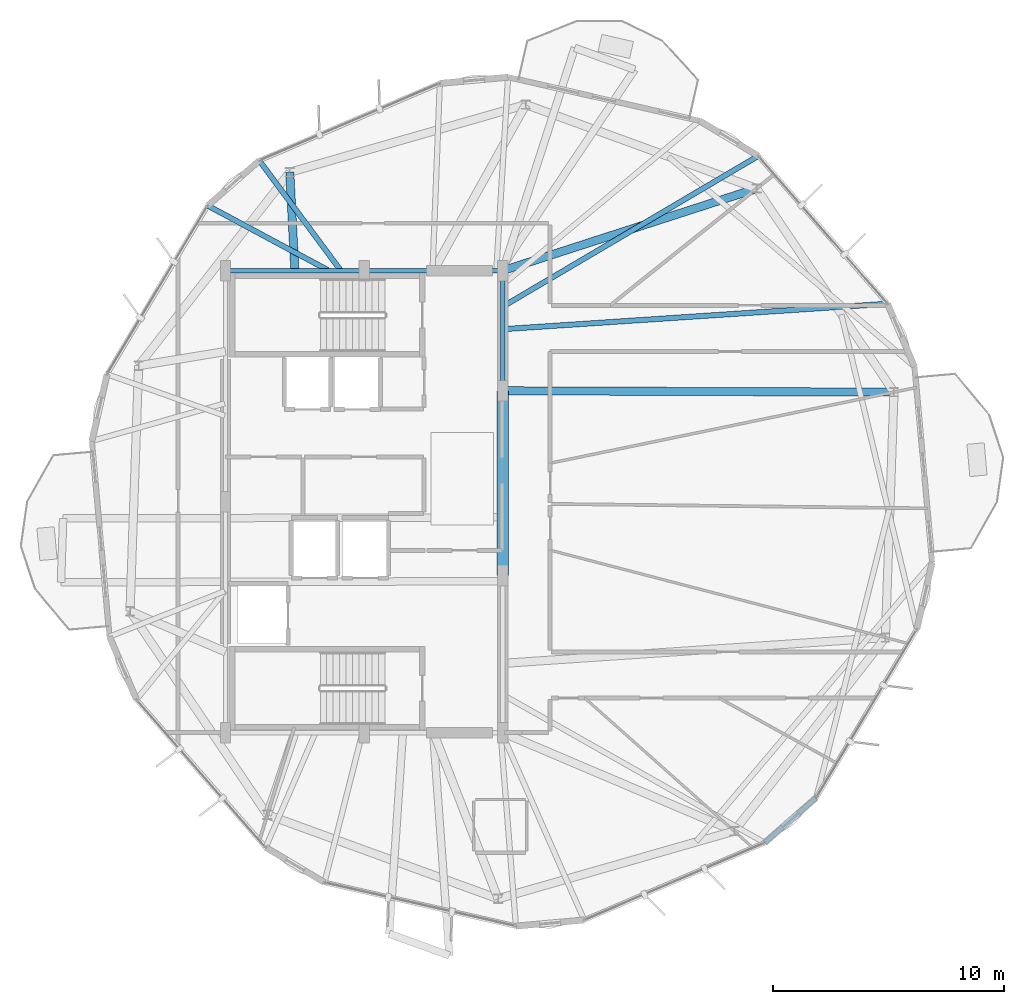
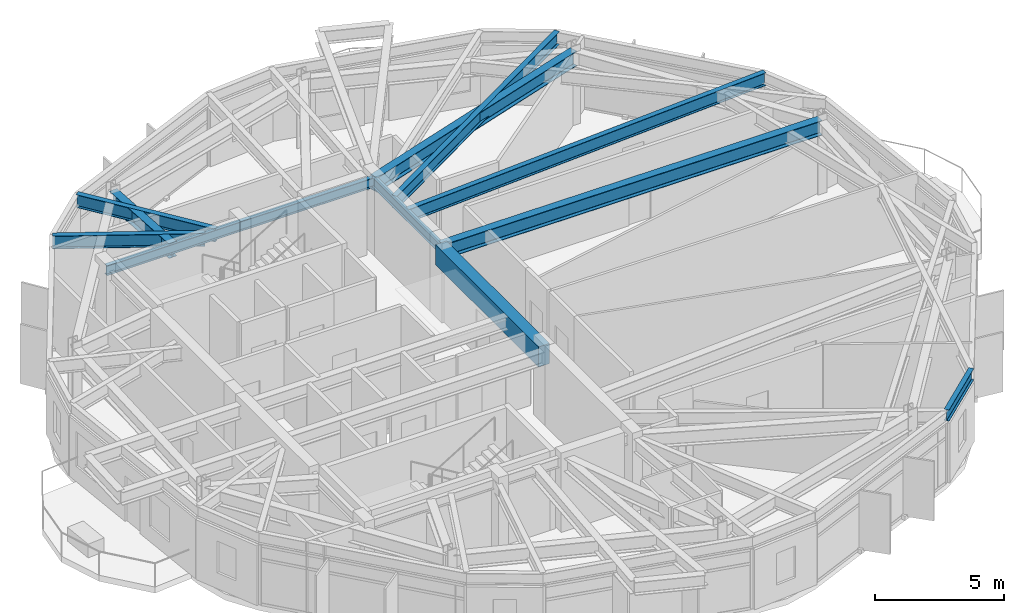
# One storey, part 9 of 23: 12 beams.
"""IFC4 building model written with IfcOpenShell, lengths in metres."""

from ifc_helpers import new_model, si_unit, direction, frame, origin, origin_2d, place, context, subcontext, project, spatial, rectangle, i_section, extrude, material, material_profile, profile_set, type_object, element, save


model = new_model("IFC4")

# Units and contexts
model_context = context("Model", 3, precision=1e-05, world=origin(), true_north=direction((0.0, 1.0)))
body_context = subcontext(model_context, "Body", "Model", "MODEL_VIEW")
ifc_project = project(units=[si_unit("LENGTHUNIT", "METRE"), si_unit("AREAUNIT", "SQUARE_METRE"), si_unit("VOLUMEUNIT", "CUBIC_METRE"), si_unit("PLANEANGLEUNIT", "RADIAN"), si_unit("MASSUNIT", "GRAM", prefix="KILO")], contexts=[model_context])

# Site, building, storey
site_placement = place(None, origin())
site = spatial("IfcSite", under=ifc_project, at=site_placement, CompositionType="ELEMENT")
building_placement = place(site_placement, origin())
building = spatial("IfcBuilding", under=site, at=building_placement, Name="Soratama Intermodal Tower", CompositionType="ELEMENT")
storey_placement = place(building_placement, frame((0.0, 0.0, 250.0)))
storey = spatial("IfcBuildingStorey", under=building, at=storey_placement, Name="L63", CompositionType="ELEMENT", Elevation=250.0)

# Beams
ifc_material_1 = material(Name="Concrete f'c 56 MPa", Category="concrete")
ifc_material_profile_1 = material_profile(ifc_material_1, rectangle(XDim=0.5, YDim=0.949951171875, at=origin_2d()), Name="RC500X950")
ifc_profile_set_1 = profile_set([ifc_material_profile_1], Name="Concrete f'c 56 MPa")
beam_type_1 = type_object("IfcBeamType", Name="BM-CPL-RC500X950", PredefinedType="BEAM", material=ifc_profile_set_1)
beam_1_placement = place(storey_placement, frame((44.60009765625, 21.800048828125, 2.97509765625), z_axis=(0.0, 1.0, 0.0), x_axis=(-1.0, 0.0, 0.0)))
element("IfcBeam", 1, at=beam_1_placement, inside=storey, type_object=beam_type_1, Name="L63 Core Coupling Beam East", PredefinedType="BEAM", context=body_context, shape_type="SweptSolid", body=[
    extrude(rectangle(XDim=0.5, YDim=0.949951171875, at=origin_2d()), origin(), (0.0, 0.0, 1.0), 8.0),
])
ifc_material_2 = material(Name="Structural steel ASTM A992 Grade 50", Category="steel")
ifc_material_profile_2 = material_profile(ifc_material_2, i_section(OverallWidth=0.19091796875, OverallDepth=0.4599609375, WebThickness=0.010009765625, FlangeThickness=0.01611328125, FilletRadius=0.010986328125, at=origin_2d()), Name="W18X55")
ifc_profile_set_2 = profile_set([ifc_material_profile_2], Name="Structural steel ASTM A992 Grade 50")
beam_type_2 = type_object("IfcBeamType", Name="BM-FLR-W18X55", PredefinedType="BEAM", material=ifc_profile_set_2)
beam_2_placement = place(storey_placement, frame((44.60009765625, 29.800048828125, 3.219970703125), z_axis=(0.0, 1.0, 0.0), x_axis=(-1.0, 0.0, 0.0)))
element("IfcBeam", 2, at=beam_2_placement, inside=storey, type_object=beam_type_2, Name="BM-L63-CRING-05", PredefinedType="BEAM", context=body_context, shape_type="SweptSolid", body=[
    extrude(i_section(OverallWidth=0.19091796875, OverallDepth=0.4599609375, WebThickness=0.010009765625, FlangeThickness=0.01611328125, FilletRadius=0.010986328125, at=origin_2d()), origin(), (0.0, 0.0, 1.0), 5.199951171875),
])
for number, where, z_axis, x_axis, name in (
    (3, (44.60009765625, 35.0, 3.219970703125), (-1.0, 0.0, 0.0), (0.0, -1.0, 0.0), "BM-L63-CRING-06"),
    (4, (38.60009765625, 35.0, 3.219970703125), (-1.0, 0.0, 0.0), (0.0, -1.0, 0.0), "BM-L63-CRING-07"),
):
    element("IfcBeam", number, at=place(storey_placement, frame(where, z_axis=z_axis, x_axis=x_axis)), inside=storey, type_object=beam_type_2, Name=name, PredefinedType="BEAM", context=body_context, shape_type="SweptSolid", body=[
        extrude(i_section(OverallWidth=0.19091796875, OverallDepth=0.4599609375, WebThickness=0.010009765625, FlangeThickness=0.01611328125, FilletRadius=0.010986328125, at=origin_2d()), origin(), (0.0, 0.0, 1.0), 6.0),
    ])
ifc_material_3 = material(Name="Structural steel ASTM A992 Grade 50", Category="steel")
ifc_material_profile_3 = material_profile(ifc_material_3, i_section(OverallWidth=0.35498046875, OverallDepth=0.695068359375, WebThickness=0.015380859375, FlangeThickness=0.02490234375, FilletRadius=0.01611328125, at=origin_2d()), Name="W27X146")
ifc_profile_set_3 = profile_set([ifc_material_profile_3], Name="Structural steel ASTM A992 Grade 50")
beam_type_3 = type_object("IfcBeamType", Name="BM-RING-W27X146", PredefinedType="BEAM", material=ifc_profile_set_3)
beam_3_placement = place(storey_placement, frame((44.60009765625, 29.800048828125, 3.1025390625), z_axis=(0.999993913522, -0.003488971138, 0.0), x_axis=(0.003488971138, 0.999993913522, 0.0)))
element("IfcBeam", 5, at=beam_3_placement, inside=storey, type_object=beam_type_3, Name="BM-L63-RAD-01", PredefinedType="BEAM", context=body_context, shape_type="SweptSolid", body=[
    extrude(i_section(OverallWidth=0.35498046875, OverallDepth=0.695068359375, WebThickness=0.015380859375, FlangeThickness=0.02490234375, FilletRadius=0.01611328125, at=origin_2d()), origin(), (0.0, 0.0, 1.0), 16.933837890625),
])
beam_4_placement = place(storey_placement, frame((44.60009765625, 35.0, 3.1025390625), z_axis=(0.95147783512, 0.307717287904, 0.0), x_axis=(-0.307717287904, 0.95147783512, 0.0)))
element("IfcBeam", 6, at=beam_4_placement, inside=storey, type_object=beam_type_3, Name="BM-L63-RAD-02", PredefinedType="BEAM", context=body_context, shape_type="SweptSolid", body=[
    extrude(i_section(OverallWidth=0.35498046875, OverallDepth=0.695068359375, WebThickness=0.015380859375, FlangeThickness=0.02490234375, FilletRadius=0.01611328125, at=origin_2d()), origin(), (0.0, 0.0, 1.0), 11.54931640625),
])
beam_5_placement = place(storey_placement, frame((35.60009765625, 35.0, 3.1025390625), z_axis=(-0.051122516685, 0.998692389221, 0.0), x_axis=(-0.998692389221, -0.051122516685, 0.0)))
element("IfcBeam", 7, at=beam_5_placement, inside=storey, type_object=beam_type_3, Name="BM-L63-RAD-04", PredefinedType="BEAM", context=body_context, shape_type="SweptSolid", body=[
    extrude(i_section(OverallWidth=0.35498046875, OverallDepth=0.695068359375, WebThickness=0.015380859375, FlangeThickness=0.02490234375, FilletRadius=0.01611328125, at=origin_2d()), origin(), (0.0, 0.0, 1.0), 4.2646484375),
])
ifc_material_4 = material(Name="Structural steel ASTM A992 Grade 50", Category="steel")
ifc_material_profile_4 = material_profile(ifc_material_4, i_section(OverallWidth=0.2099609375, OverallDepth=0.537109375, WebThickness=0.010986328125, FlangeThickness=0.017333984375, FilletRadius=0.012939453125, at=origin_2d()), Name="W21X68")
ifc_profile_set_4 = profile_set([ifc_material_profile_4], Name="Structural steel ASTM A992 Grade 50")
beam_type_4 = type_object("IfcBeamType", Name="BM-SPN-W21X68", PredefinedType="SPANDREL", material=ifc_profile_set_4)
beam_6_placement = place(storey_placement, frame((55.93994140625, 10.23291015625, 3.181396484375), z_axis=(0.752887639786, 0.658149072671, 0.0), x_axis=(-0.658149072671, 0.752887639786, 0.0)))
element("IfcBeam", 8, at=beam_6_placement, inside=storey, type_object=beam_type_4, Name="BS-L63-CRN07", PredefinedType="SPANDREL", context=body_context, shape_type="SweptSolid", body=[
    extrude(i_section(OverallWidth=0.2099609375, OverallDepth=0.537109375, WebThickness=0.010986328125, FlangeThickness=0.017333984375, FilletRadius=0.012939453125, at=origin_2d()), origin(), (0.0, 0.0, 1.0), 2.966064453125),
])
ifc_material_5 = material(Name="Structural steel ASTM A992 Grade 50", Category="steel")
ifc_material_profile_5 = material_profile(ifc_material_5, i_section(OverallWidth=0.22900390625, OverallDepth=0.612060546875, WebThickness=0.011962890625, FlangeThickness=0.01953125, FilletRadius=0.012939453125, at=origin_2d()), Name="W24X84")
ifc_profile_set_5 = profile_set([ifc_material_profile_5], Name="Structural steel ASTM A992 Grade 50")
beam_type_5 = type_object("IfcBeamType", Name="BM-TIE-W24X84", PredefinedType="BEAM", material=ifc_profile_set_5)
beam_7_placement = place(storey_placement, frame((37.568115234375, 35.031982421875, 3.14404296875), z_axis=(-0.595289967195, 0.803510955094, 0.0), x_axis=(-0.803510955094, -0.595289967195, 0.0)))
element("IfcBeam", 9, at=beam_7_placement, inside=storey, type_object=beam_type_5, Name="BM-L63-TIE1-02", PredefinedType="BEAM", context=body_context, shape_type="SweptSolid", body=[
    extrude(i_section(OverallWidth=0.22900390625, OverallDepth=0.612060546875, WebThickness=0.011962890625, FlangeThickness=0.01953125, FilletRadius=0.012939453125, at=origin_2d()), origin(), (0.0, 0.0, 1.0), 5.89306640625),
])
beam_8_placement = place(storey_placement, frame((37.0390625, 35.01904296875, 3.14404296875), z_axis=(-0.881221499263, 0.472703574386, 0.0), x_axis=(-0.472703574386, -0.881221499263, 0.0)))
element("IfcBeam", 10, at=beam_8_placement, inside=storey, type_object=beam_type_5, Name="BM-L63-TIE0-03", PredefinedType="BEAM", context=body_context, shape_type="SweptSolid", body=[
    extrude(i_section(OverallWidth=0.22900390625, OverallDepth=0.612060546875, WebThickness=0.011962890625, FlangeThickness=0.01953125, FilletRadius=0.012939453125, at=origin_2d()), origin(), (0.0, 0.0, 1.0), 5.914794921875),
])
beam_9_placement = place(storey_placement, frame((44.639892578125, 32.468017578125, 3.14404296875), z_axis=(0.99781605413, 0.066053933418, 0.0), x_axis=(-0.066053933418, 0.99781605413, 0.0)))
element("IfcBeam", 11, at=beam_9_placement, inside=storey, type_object=beam_type_5, Name="BM-L63-TIE0-10", PredefinedType="BEAM", context=body_context, shape_type="SweptSolid", body=[
    extrude(i_section(OverallWidth=0.22900390625, OverallDepth=0.612060546875, WebThickness=0.011962890625, FlangeThickness=0.01953125, FilletRadius=0.012939453125, at=origin_2d()), origin(), (0.0, 0.0, 1.0), 16.654541015625),
])
beam_10_placement = place(storey_placement, frame((44.634033203125, 33.462890625, 3.14404296875), z_axis=(0.861357774883, 0.507998802802, 0.0), x_axis=(-0.507998802802, 0.861357774883, 0.0)))
element("IfcBeam", 12, at=beam_10_placement, inside=storey, type_object=beam_type_5, Name="BM-L63-TIE1-10", PredefinedType="BEAM", context=body_context, shape_type="SweptSolid", body=[
    extrude(i_section(OverallWidth=0.22900390625, OverallDepth=0.612060546875, WebThickness=0.011962890625, FlangeThickness=0.01953125, FilletRadius=0.012939453125, at=origin_2d()), origin(), (0.0, 0.0, 1.0), 12.805419921875),
])

save(model, "model.ifc")
